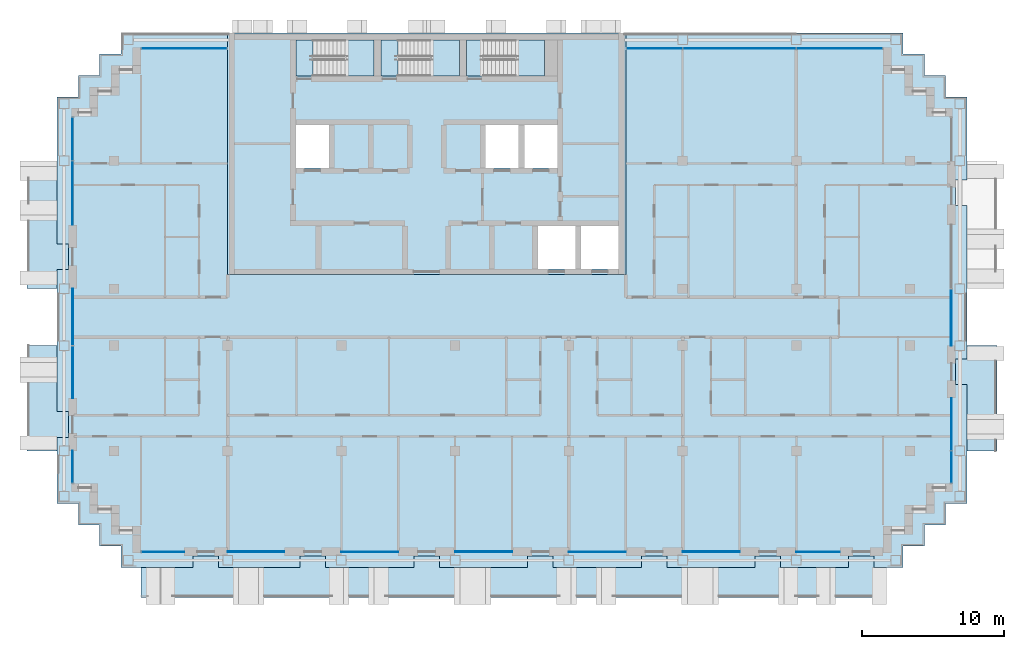
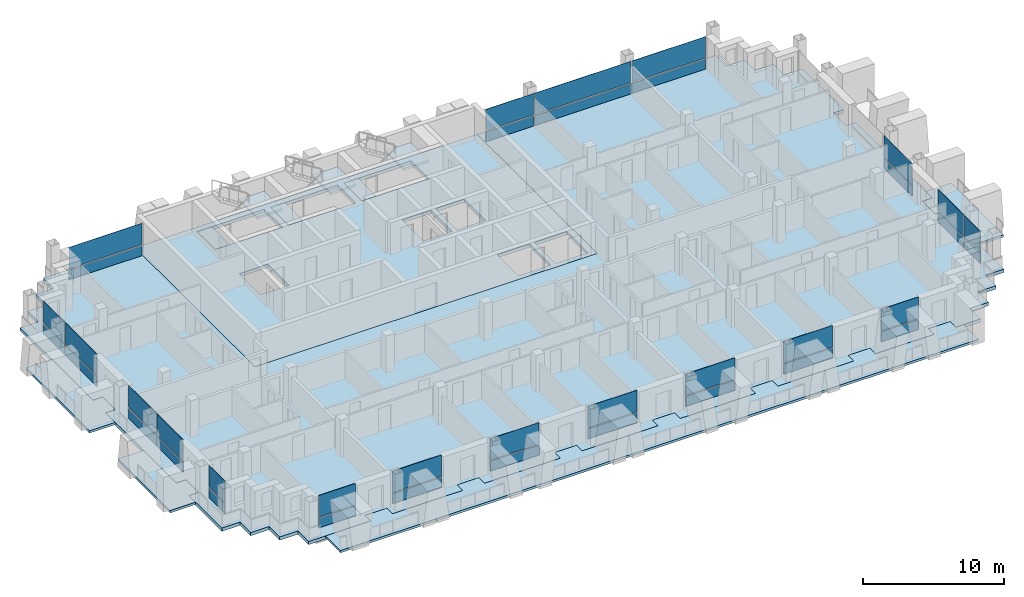
# One storey, part 6 of 16: 38 plates, 12 slabs, 17 elements without a shape of their own.
"""IFC4 building model written with IfcOpenShell, lengths in metres."""

from ifc_helpers import new_model, si_unit, direction, frame, origin, origin_2d, place, context, subcontext, project, spatial, polyline, rectangle, outline, extrude, material, layer, layer_set, type_object, element, aggregate, save


model = new_model("IFC4")

# Units and contexts
model_context = context("Model", 3, precision=1e-05, world=origin(), true_north=direction((0.0, 1.0)))
body_context = subcontext(model_context, "Body", "Model", "MODEL_VIEW")
ifc_project = project(units=[si_unit("LENGTHUNIT", "METRE"), si_unit("AREAUNIT", "SQUARE_METRE"), si_unit("VOLUMEUNIT", "CUBIC_METRE"), si_unit("PLANEANGLEUNIT", "RADIAN"), si_unit("MASSUNIT", "GRAM", prefix="KILO")], contexts=[model_context])

# Site, building, storey
site_placement = place(None, origin())
site = spatial("IfcSite", under=ifc_project, at=site_placement, CompositionType="ELEMENT")
building_placement = place(site_placement, origin())
building = spatial("IfcBuilding", under=site, at=building_placement, Name="Vidyagriha Tower", CompositionType="ELEMENT")
storey_placement = place(building_placement, frame((0.0, 0.0, 190.89990234375)))
storey = spatial("IfcBuildingStorey", under=building, at=storey_placement, Name="L50", CompositionType="ELEMENT", Elevation=190.89990234375)

# Curtain wall, plates
ifc_material_1 = material(Name="Aluminium and glass curtain wall", Category="aluminium")
curtain_wall_type = type_object("IfcCurtainWallType", Name="Dwelling skin unitised curtain wall", PredefinedType="USERDEFINED", material=ifc_material_1)
curtain_wall_1_placement = place(storey_placement, origin())
curtain_wall_1 = element("IfcCurtainWall", 1, at=curtain_wall_1_placement, inside=storey, type_object=curtain_wall_type, Name="CW1 dwelling skin", ObjectType="UNITISED", PredefinedType="USERDEFINED")
ifc_material_2 = material(Name="Glass dark ceramic-fritted spandrel", Category="glass")
ifc_layer_1 = layer(ifc_material_2, 0.0400390625)
ifc_layer_set_1 = layer_set([ifc_layer_1], Name="Glass dark ceramic-fritted spandrel")
plate_type_1 = type_object("IfcPlateType", Name="Ceramic-fritted spandrel panel", PredefinedType="CURTAIN_PANEL", material=ifc_layer_set_1)
plate_1_placement = place(storey_placement, frame((29.032470703125, 18.89990234375, 0.0), z_axis=(0.0, 0.0, 1.0), x_axis=(-1.0, 0.0, 0.0)))
plate_1 = element("IfcPlate", 2, at=plate_1_placement, type_object=plate_type_1, Name="CW1 panel 1.1", PredefinedType="CURTAIN_PANEL", context=body_context, shape_type="SweptSolid", body=[
    extrude(rectangle(XDim=5.9951171875, YDim=0.0400390625, at=origin_2d()), origin(), (0.0, 0.0, 1.0), 0.85009765625),
])
plate_2_placement = place(storey_placement, frame((16.017578125, 18.89990234375, 0.0), z_axis=(0.0, 0.0, 1.0), x_axis=(-1.0, 0.0, 0.0)))
plate_2 = element("IfcPlate", 3, at=plate_2_placement, type_object=plate_type_1, Name="CW1 panel 3.1", PredefinedType="CURTAIN_PANEL", context=body_context, shape_type="SweptSolid", body=[
    extrude(rectangle(XDim=3.89501953125, YDim=0.0400390625, at=origin_2d()), origin(), (0.0, 0.0, 1.0), 0.85009765625),
])

# Curtain wall, plate
curtain_wall_2_placement = place(storey_placement, origin())
curtain_wall_2 = element("IfcCurtainWall", 4, at=curtain_wall_2_placement, inside=storey, type_object=curtain_wall_type, Name="CW1 dwelling skin", ObjectType="UNITISED", PredefinedType="USERDEFINED")
plate_3_placement = place(storey_placement, frame((-17.050048828125, 18.89990234375, 0.0), z_axis=(0.0, 0.0, 1.0), x_axis=(-1.0, 0.0, 0.0)))
plate_3 = element("IfcPlate", 5, at=plate_3_placement, type_object=plate_type_1, Name="CW1 panel 1.1", PredefinedType="CURTAIN_PANEL", context=body_context, shape_type="SweptSolid", body=[
    extrude(rectangle(XDim=5.9599609375, YDim=0.0400390625, at=origin_2d()), origin(), (0.0, 0.0, 1.0), 0.85009765625),
])

# Curtain wall, plates
curtain_wall_3_placement = place(storey_placement, origin())
curtain_wall_3 = element("IfcCurtainWall", 6, at=curtain_wall_3_placement, inside=storey, type_object=curtain_wall_type, Name="CW1 dwelling skin", ObjectType="UNITISED", PredefinedType="USERDEFINED")
plate_4_placement = place(storey_placement, frame((-24.89990234375, 12.532470703125, 0.0), z_axis=(0.0, 0.0, 1.0), x_axis=(0.0, -1.0, 0.0)))
plate_4 = element("IfcPlate", 7, at=plate_4_placement, type_object=plate_type_1, Name="CW1 panel 1.1", PredefinedType="CURTAIN_PANEL", context=body_context, shape_type="SweptSolid", body=[
    extrude(rectangle(XDim=2.9951171875, YDim=0.0400390625, at=origin_2d()), origin(), (0.0, 0.0, 1.0), 0.85009765625),
])
plate_5_placement = place(storey_placement, frame((-24.89990234375, 8.732421875, 0.0), z_axis=(0.0, 0.0, 1.0), x_axis=(0.0, -1.0, 0.0)))
plate_5 = element("IfcPlate", 8, at=plate_5_placement, type_object=plate_type_1, Name="CW1 panel 2.1", PredefinedType="CURTAIN_PANEL", context=body_context, shape_type="SweptSolid", body=[
    extrude(rectangle(XDim=4.465087890625, YDim=0.0400390625, at=origin_2d()), origin(), (0.0, 0.0, 1.0), 0.85009765625),
])

# Curtain wall, plate
curtain_wall_4_placement = place(storey_placement, origin())
curtain_wall_4 = element("IfcCurtainWall", 9, at=curtain_wall_4_placement, inside=storey, type_object=curtain_wall_type, Name="CW1 dwelling skin", ObjectType="UNITISED", PredefinedType="USERDEFINED")
plate_6_placement = place(storey_placement, frame((-24.89990234375, -10.514892578125, 0.0), z_axis=(0.0, 0.0, 1.0), x_axis=(0.0, -1.0, 0.0)))
plate_6 = element("IfcPlate", 10, at=plate_6_placement, type_object=plate_type_1, Name="CW1 panel 1.1", PredefinedType="CURTAIN_PANEL", context=body_context, shape_type="SweptSolid", body=[
    extrude(rectangle(XDim=2.22998046875, YDim=0.0400390625, at=origin_2d()), origin(), (0.0, 0.0, 1.0), 0.85009765625),
])

curtain_wall_5_placement = place(storey_placement, origin())
curtain_wall_5 = element("IfcCurtainWall", 11, at=curtain_wall_5_placement, inside=storey, type_object=curtain_wall_type, Name="CW1 dwelling skin", ObjectType="UNITISED", PredefinedType="USERDEFINED")
plate_7_placement = place(storey_placement, frame((-18.5400390625, -16.5, 0.0)))
plate_7 = element("IfcPlate", 12, at=plate_7_placement, type_object=plate_type_1, Name="CW1 panel 1.1", PredefinedType="CURTAIN_PANEL", context=body_context, shape_type="SweptSolid", body=[
    extrude(rectangle(XDim=2.97998046875, YDim=0.0400390625, at=origin_2d()), origin(), (0.0, 0.0, 1.0), 0.85009765625),
])

curtain_wall_6_placement = place(storey_placement, origin())
curtain_wall_6 = element("IfcCurtainWall", 13, at=curtain_wall_6_placement, inside=storey, type_object=curtain_wall_type, Name="CW1 dwelling skin", ObjectType="UNITISED", PredefinedType="USERDEFINED")
plate_8_placement = place(storey_placement, frame((-4.0, -16.5, 0.0)))
plate_8 = element("IfcPlate", 14, at=plate_8_placement, type_object=plate_type_1, Name="CW1 panel 1.1", PredefinedType="CURTAIN_PANEL", context=body_context, shape_type="SweptSolid", body=[
    extrude(rectangle(XDim=4.0, YDim=0.0400390625, at=origin_2d()), origin(), (0.0, 0.0, 1.0), 0.85009765625),
])

curtain_wall_7_placement = place(storey_placement, origin())
curtain_wall_7 = element("IfcCurtainWall", 15, at=curtain_wall_7_placement, inside=storey, type_object=curtain_wall_type, Name="CW1 dwelling skin", ObjectType="UNITISED", PredefinedType="USERDEFINED")
plate_9_placement = place(storey_placement, frame((12.0, -16.5, 0.0)))
plate_9 = element("IfcPlate", 16, at=plate_9_placement, type_object=plate_type_1, Name="CW1 panel 1.1", PredefinedType="CURTAIN_PANEL", context=body_context, shape_type="SweptSolid", body=[
    extrude(rectangle(XDim=4.0, YDim=0.0400390625, at=origin_2d()), origin(), (0.0, 0.0, 1.0), 0.85009765625),
])

curtain_wall_8_placement = place(storey_placement, origin())
curtain_wall_8 = element("IfcCurtainWall", 17, at=curtain_wall_8_placement, inside=storey, type_object=curtain_wall_type, Name="CW1 dwelling skin", ObjectType="UNITISED", PredefinedType="USERDEFINED")
plate_10_placement = place(storey_placement, frame((27.52490234375, -16.5, 0.0)))
plate_10 = element("IfcPlate", 18, at=plate_10_placement, type_object=plate_type_1, Name="CW1 panel 1.1", PredefinedType="CURTAIN_PANEL", context=body_context, shape_type="SweptSolid", body=[
    extrude(rectangle(XDim=3.050048828125, YDim=0.0400390625, at=origin_2d()), origin(), (0.0, 0.0, 1.0), 0.85009765625),
])

# Curtain wall, plates
curtain_wall_9_placement = place(storey_placement, origin())
curtain_wall_9 = element("IfcCurtainWall", 19, at=curtain_wall_9_placement, inside=storey, type_object=curtain_wall_type, Name="CW1 dwelling skin", ObjectType="UNITISED", PredefinedType="USERDEFINED")
plate_11_placement = place(storey_placement, frame((36.89990234375, -10.532470703125, 0.0), z_axis=(0.0, 0.0, 1.0), x_axis=(0.0, 1.0, 0.0)))
plate_11 = element("IfcPlate", 20, at=plate_11_placement, type_object=plate_type_1, Name="CW1 panel 1.1", PredefinedType="CURTAIN_PANEL", context=body_context, shape_type="SweptSolid", body=[
    extrude(rectangle(XDim=2.195068359375, YDim=0.0400390625, at=origin_2d()), origin(), (0.0, 0.0, 1.0), 0.85009765625),
])
plate_12_placement = place(storey_placement, frame((36.89990234375, -7.532470703125, 0.0), z_axis=(0.0, 0.0, 1.0), x_axis=(0.0, 1.0, 0.0)))
plate_12 = element("IfcPlate", 21, at=plate_12_placement, type_object=plate_type_1, Name="CW1 panel 2.1", PredefinedType="CURTAIN_PANEL", context=body_context, shape_type="SweptSolid", body=[
    extrude(rectangle(XDim=3.6650390625, YDim=0.0400390625, at=origin_2d()), origin(), (0.0, 0.0, 1.0), 0.85009765625),
])

# Slab
ifc_material_3 = material(Name="Concrete C60/75", Category="concrete")
ifc_layer_2 = layer(ifc_material_3, 0.280029296875)
ifc_layer_set_2 = layer_set([ifc_layer_2], Name="Concrete C60/75")
slab_type_1 = type_object("IfcSlabType", Name="Core floor slab 280 mm", PredefinedType="FLOOR", material=ifc_layer_set_2)
slab_1_placement = place(storey_placement, frame((0.0, 0.0, -0.27978515625)))
element("IfcSlab", 22, at=slab_1_placement, inside=storey, type_object=slab_type_1, Name="L50 core floor 1", PredefinedType="FLOOR", context=body_context, shape_type="SweptSolid", body=[
    extrude(outline(polyline([(-14.0, 3.0), (-14.0, 20.0), (14.0, 20.0), (14.0, 3.0), (-14.0, 3.0)]), holes=[polyline([(13.5, 6.39990234375), (10.855712890625, 6.39990234375), (10.855712890625, 3.39990234375), (13.5, 3.39990234375), (13.5, 6.39990234375)]), polyline([(10.45556640625, 6.39990234375), (7.81103515625, 6.39990234375), (7.81103515625, 3.39990234375), (10.45556640625, 3.39990234375), (10.45556640625, 6.39990234375)]), polyline([(9.199951171875, 13.5), (6.86669921875, 13.5), (6.86669921875, 10.5), (9.199951171875, 10.5), (9.199951171875, 13.5)]), polyline([(2.800048828125, 19.5), (2.800048828125, 16.949951171875), (4.0, 16.949951171875), (8.300048828125, 16.949951171875), (8.300048828125, 19.5), (4.0, 19.5), (2.800048828125, 19.5)]), polyline([(4.13330078125, 13.5), (4.13330078125, 10.5), (6.466796875, 10.5), (6.466796875, 13.5), (4.13330078125, 13.5)]), polyline([(-2.0, 19.5), (-3.199951171875, 19.5), (-3.199951171875, 16.949951171875), (-2.0, 16.949951171875), (2.300048828125, 16.949951171875), (2.300048828125, 19.5), (-2.0, 19.5)]), polyline([(-9.199951171875, 19.5), (-9.199951171875, 16.949951171875), (-8.0, 16.949951171875), (-3.699951171875, 16.949951171875), (-3.699951171875, 19.5), (-8.0, 19.5), (-9.199951171875, 19.5)]), polyline([(-9.199951171875, 13.5), (-9.199951171875, 10.5), (-6.86669921875, 10.5), (-6.86669921875, 13.5), (-9.199951171875, 13.5)])]), origin(), (0.0, 0.0, 1.0), 0.27978515625),
])

# Plate
ifc_material_4 = material(Name="Glass dark ceramic-fritted", Category="glass")
ifc_layer_3 = layer(ifc_material_4, 0.028076171875)
ifc_layer_set_3 = layer_set([ifc_layer_3], Name="Glass dark ceramic-fritted")
plate_type_2 = type_object("IfcPlateType", Name="Dark ceramic-fritted vision glass panel", PredefinedType="CURTAIN_PANEL", material=ifc_layer_set_3)
plate_13_placement = place(storey_placement, frame((29.032470703125, 18.89990234375, 0.949951171875), z_axis=(0.0, 0.0, 1.0), x_axis=(-1.0, 0.0, 0.0)))
plate_13 = element("IfcPlate", 23, at=plate_13_placement, type_object=plate_type_2, Name="CW1 panel 1.2", PredefinedType="CURTAIN_PANEL", context=body_context, shape_type="SweptSolid", body=[
    extrude(rectangle(XDim=5.9951171875, YDim=0.028076171875, at=origin_2d()), origin(), (0.0, 0.0, 1.0), 1.85009765625),
])

plate_14_placement = place(storey_placement, frame((22.0, 18.89990234375, 0.949951171875), z_axis=(0.0, 0.0, 1.0), x_axis=(-1.0, 0.0, 0.0)))
plate_14 = element("IfcPlate", 24, at=plate_14_placement, type_object=plate_type_2, Name="CW1 panel 2.2", PredefinedType="CURTAIN_PANEL", context=body_context, shape_type="SweptSolid", body=[
    extrude(rectangle(XDim=7.929931640625, YDim=0.028076171875, at=origin_2d()), origin(), (0.0, 0.0, 1.0), 1.85009765625),
])

plate_15_placement = place(storey_placement, frame((16.017578125, 18.89990234375, 0.949951171875), z_axis=(0.0, 0.0, 1.0), x_axis=(-1.0, 0.0, 0.0)))
plate_15 = element("IfcPlate", 25, at=plate_15_placement, type_object=plate_type_2, Name="CW1 panel 3.2", PredefinedType="CURTAIN_PANEL", context=body_context, shape_type="SweptSolid", body=[
    extrude(rectangle(XDim=3.89501953125, YDim=0.028076171875, at=origin_2d()), origin(), (0.0, 0.0, 1.0), 1.85009765625),
])

plate_16_placement = place(storey_placement, frame((-17.050048828125, 18.89990234375, 0.949951171875), z_axis=(0.0, 0.0, 1.0), x_axis=(-1.0, 0.0, 0.0)))
plate_16 = element("IfcPlate", 26, at=plate_16_placement, type_object=plate_type_2, Name="CW1 panel 1.2", PredefinedType="CURTAIN_PANEL", context=body_context, shape_type="SweptSolid", body=[
    extrude(rectangle(XDim=5.9599609375, YDim=0.028076171875, at=origin_2d()), origin(), (0.0, 0.0, 1.0), 1.85009765625),
])

aggregate(curtain_wall_2, [plate_3, plate_16])

plate_17_placement = place(storey_placement, frame((-24.89990234375, 12.532470703125, 0.949951171875), z_axis=(0.0, 0.0, 1.0), x_axis=(0.0, -1.0, 0.0)))
plate_17 = element("IfcPlate", 27, at=plate_17_placement, type_object=plate_type_2, Name="CW1 panel 1.2", PredefinedType="CURTAIN_PANEL", context=body_context, shape_type="SweptSolid", body=[
    extrude(rectangle(XDim=2.9951171875, YDim=0.028076171875, at=origin_2d()), origin(), (0.0, 0.0, 1.0), 1.85009765625),
])

plate_18_placement = place(storey_placement, frame((-24.89990234375, 8.732421875, 0.949951171875), z_axis=(0.0, 0.0, 1.0), x_axis=(0.0, -1.0, 0.0)))
plate_18 = element("IfcPlate", 28, at=plate_18_placement, type_object=plate_type_2, Name="CW1 panel 2.2", PredefinedType="CURTAIN_PANEL", context=body_context, shape_type="SweptSolid", body=[
    extrude(rectangle(XDim=4.465087890625, YDim=0.028076171875, at=origin_2d()), origin(), (0.0, 0.0, 1.0), 1.85009765625),
])

aggregate(curtain_wall_3, [plate_4, plate_17, plate_5, plate_18])

# Curtain wall, plates
curtain_wall_10_placement = place(storey_placement, origin())
curtain_wall_10 = element("IfcCurtainWall", 29, at=curtain_wall_10_placement, inside=storey, type_object=curtain_wall_type, Name="CW1 dwelling skin", ObjectType="UNITISED", PredefinedType="USERDEFINED")
plate_19_placement = place(storey_placement, frame((-24.89990234375, 0.017578125, 0.949951171875), z_axis=(0.0, 0.0, 1.0), x_axis=(0.0, -1.0, 0.0)))
plate_19 = element("IfcPlate", 30, at=plate_19_placement, type_object=plate_type_2, Name="CW1 panel 1.2", PredefinedType="CURTAIN_PANEL", context=body_context, shape_type="SweptSolid", body=[
    extrude(rectangle(XDim=3.965087890625, YDim=0.028076171875, at=origin_2d()), origin(), (0.0, 0.0, 1.0), 1.85009765625),
])
plate_20_placement = place(storey_placement, frame((-24.89990234375, -3.867431640625, 0.949951171875), z_axis=(0.0, 0.0, 1.0), x_axis=(0.0, -1.0, 0.0)))
plate_20 = element("IfcPlate", 31, at=plate_20_placement, type_object=plate_type_2, Name="CW1 panel 2.2", PredefinedType="CURTAIN_PANEL", context=body_context, shape_type="SweptSolid", body=[
    extrude(rectangle(XDim=3.6650390625, YDim=0.028076171875, at=origin_2d()), origin(), (0.0, 0.0, 1.0), 1.85009765625),
])

# Plate
plate_21_placement = place(storey_placement, frame((-24.89990234375, -10.514892578125, 0.949951171875), z_axis=(0.0, 0.0, 1.0), x_axis=(0.0, -1.0, 0.0)))
plate_21 = element("IfcPlate", 32, at=plate_21_placement, type_object=plate_type_2, Name="CW1 panel 1.2", PredefinedType="CURTAIN_PANEL", context=body_context, shape_type="SweptSolid", body=[
    extrude(rectangle(XDim=2.22998046875, YDim=0.028076171875, at=origin_2d()), origin(), (0.0, 0.0, 1.0), 1.85009765625),
])

aggregate(curtain_wall_4, [plate_6, plate_21])

plate_22_placement = place(storey_placement, frame((-18.5400390625, -16.5, 0.949951171875)))
plate_22 = element("IfcPlate", 33, at=plate_22_placement, type_object=plate_type_2, Name="CW1 panel 1.2", PredefinedType="CURTAIN_PANEL", context=body_context, shape_type="SweptSolid", body=[
    extrude(rectangle(XDim=2.97998046875, YDim=0.028076171875, at=origin_2d()), origin(), (0.0, 0.0, 1.0), 1.85009765625),
])

aggregate(curtain_wall_5, [plate_7, plate_22])

# Curtain wall, plate
curtain_wall_11_placement = place(storey_placement, origin())
curtain_wall_11 = element("IfcCurtainWall", 34, at=curtain_wall_11_placement, inside=storey, type_object=curtain_wall_type, Name="CW1 dwelling skin", ObjectType="UNITISED", PredefinedType="USERDEFINED")
plate_23_placement = place(storey_placement, frame((-12.0, -16.5, 0.949951171875)))
plate_23 = element("IfcPlate", 35, at=plate_23_placement, type_object=plate_type_2, Name="CW1 panel 1.2", PredefinedType="CURTAIN_PANEL", context=body_context, shape_type="SweptSolid", body=[
    extrude(rectangle(XDim=4.0, YDim=0.028076171875, at=origin_2d()), origin(), (0.0, 0.0, 1.0), 1.85009765625),
])

# Plate
plate_24_placement = place(storey_placement, frame((-4.0, -16.5, 0.949951171875)))
plate_24 = element("IfcPlate", 36, at=plate_24_placement, type_object=plate_type_2, Name="CW1 panel 1.2", PredefinedType="CURTAIN_PANEL", context=body_context, shape_type="SweptSolid", body=[
    extrude(rectangle(XDim=4.0, YDim=0.028076171875, at=origin_2d()), origin(), (0.0, 0.0, 1.0), 1.85009765625),
])

aggregate(curtain_wall_6, [plate_8, plate_24])

# Curtain wall, plate
curtain_wall_12_placement = place(storey_placement, origin())
curtain_wall_12 = element("IfcCurtainWall", 37, at=curtain_wall_12_placement, inside=storey, type_object=curtain_wall_type, Name="CW1 dwelling skin", ObjectType="UNITISED", PredefinedType="USERDEFINED")
plate_25_placement = place(storey_placement, frame((4.0, -16.5, 0.949951171875)))
plate_25 = element("IfcPlate", 38, at=plate_25_placement, type_object=plate_type_2, Name="CW1 panel 1.2", PredefinedType="CURTAIN_PANEL", context=body_context, shape_type="SweptSolid", body=[
    extrude(rectangle(XDim=4.0, YDim=0.028076171875, at=origin_2d()), origin(), (0.0, 0.0, 1.0), 1.85009765625),
])

# Plate
plate_26_placement = place(storey_placement, frame((12.0, -16.5, 0.949951171875)))
plate_26 = element("IfcPlate", 39, at=plate_26_placement, type_object=plate_type_2, Name="CW1 panel 1.2", PredefinedType="CURTAIN_PANEL", context=body_context, shape_type="SweptSolid", body=[
    extrude(rectangle(XDim=4.0, YDim=0.028076171875, at=origin_2d()), origin(), (0.0, 0.0, 1.0), 1.85009765625),
])

aggregate(curtain_wall_7, [plate_9, plate_26])

# Curtain wall, plate
curtain_wall_13_placement = place(storey_placement, origin())
curtain_wall_13 = element("IfcCurtainWall", 40, at=curtain_wall_13_placement, inside=storey, type_object=curtain_wall_type, Name="CW1 dwelling skin", ObjectType="UNITISED", PredefinedType="USERDEFINED")
plate_27_placement = place(storey_placement, frame((20.0, -16.5, 0.949951171875)))
plate_27 = element("IfcPlate", 41, at=plate_27_placement, type_object=plate_type_2, Name="CW1 panel 1.2", PredefinedType="CURTAIN_PANEL", context=body_context, shape_type="SweptSolid", body=[
    extrude(rectangle(XDim=4.0, YDim=0.028076171875, at=origin_2d()), origin(), (0.0, 0.0, 1.0), 1.85009765625),
])

# Plate
plate_28_placement = place(storey_placement, frame((27.52490234375, -16.5, 0.949951171875)))
plate_28 = element("IfcPlate", 42, at=plate_28_placement, type_object=plate_type_2, Name="CW1 panel 1.2", PredefinedType="CURTAIN_PANEL", context=body_context, shape_type="SweptSolid", body=[
    extrude(rectangle(XDim=3.050048828125, YDim=0.028076171875, at=origin_2d()), origin(), (0.0, 0.0, 1.0), 1.85009765625),
])

aggregate(curtain_wall_8, [plate_10, plate_28])

plate_29_placement = place(storey_placement, frame((36.89990234375, -10.532470703125, 0.949951171875), z_axis=(0.0, 0.0, 1.0), x_axis=(0.0, 1.0, 0.0)))
plate_29 = element("IfcPlate", 43, at=plate_29_placement, type_object=plate_type_2, Name="CW1 panel 1.2", PredefinedType="CURTAIN_PANEL", context=body_context, shape_type="SweptSolid", body=[
    extrude(rectangle(XDim=2.195068359375, YDim=0.028076171875, at=origin_2d()), origin(), (0.0, 0.0, 1.0), 1.85009765625),
])

plate_30_placement = place(storey_placement, frame((36.89990234375, -7.532470703125, 0.949951171875), z_axis=(0.0, 0.0, 1.0), x_axis=(0.0, 1.0, 0.0)))
plate_30 = element("IfcPlate", 44, at=plate_30_placement, type_object=plate_type_2, Name="CW1 panel 2.2", PredefinedType="CURTAIN_PANEL", context=body_context, shape_type="SweptSolid", body=[
    extrude(rectangle(XDim=3.6650390625, YDim=0.028076171875, at=origin_2d()), origin(), (0.0, 0.0, 1.0), 1.85009765625),
])

aggregate(curtain_wall_9, [plate_11, plate_29, plate_12, plate_30])

# Curtain wall, plate
curtain_wall_14_placement = place(storey_placement, origin())
curtain_wall_14 = element("IfcCurtainWall", 45, at=curtain_wall_14_placement, inside=storey, type_object=curtain_wall_type, Name="CW1 dwelling skin", ObjectType="UNITISED", PredefinedType="USERDEFINED")
plate_31_placement = place(storey_placement, frame((36.89990234375, -0.017578125, 0.949951171875), z_axis=(0.0, 0.0, 1.0), x_axis=(0.0, 1.0, 0.0)))
plate_31 = element("IfcPlate", 46, at=plate_31_placement, type_object=plate_type_2, Name="CW1 panel 1.2", PredefinedType="CURTAIN_PANEL", context=body_context, shape_type="SweptSolid", body=[
    extrude(rectangle(XDim=3.965087890625, YDim=0.028076171875, at=origin_2d()), origin(), (0.0, 0.0, 1.0), 1.85009765625),
])

# Slabs
ifc_material_5 = material(Name="Concrete C40/50", Category="concrete")
ifc_layer_4 = layer(ifc_material_5, 0.280029296875)
ifc_layer_set_4 = layer_set([ifc_layer_4], Name="Concrete C40/50")
slab_type_2 = type_object("IfcSlabType", Name="Exit stair floor landing 280 mm", PredefinedType="LANDING", material=ifc_layer_set_4)
slab_2_placement = place(storey_placement, frame((0.0, 0.0, -0.27978515625)))
element("IfcSlab", 47, at=slab_2_placement, inside=storey, type_object=slab_type_2, Name="ST1 floor landing L50", PredefinedType="LANDING", context=body_context, shape_type="SweptSolid", body=[
    extrude(outline(polyline([(-9.199951171875, 16.949951171875), (-8.0, 16.949951171875), (-8.0, 19.5), (-9.199951171875, 19.5), (-9.199951171875, 16.949951171875)])), origin(), (0.0, 0.0, 1.0), 0.27978515625),
])
slab_3_placement = place(storey_placement, frame((0.0, 0.0, -0.27978515625)))
element("IfcSlab", 48, at=slab_3_placement, inside=storey, type_object=slab_type_2, Name="ST2 floor landing L50", PredefinedType="LANDING", context=body_context, shape_type="SweptSolid", body=[
    extrude(outline(polyline([(-3.199951171875, 16.949951171875), (-2.0, 16.949951171875), (-2.0, 19.5), (-3.199951171875, 19.5), (-3.199951171875, 16.949951171875)])), origin(), (0.0, 0.0, 1.0), 0.27978515625),
])
slab_4_placement = place(storey_placement, frame((0.0, 0.0, -0.27978515625)))
element("IfcSlab", 49, at=slab_4_placement, inside=storey, type_object=slab_type_2, Name="ST3 floor landing L50", PredefinedType="LANDING", context=body_context, shape_type="SweptSolid", body=[
    extrude(outline(polyline([(2.800048828125, 16.949951171875), (4.0, 16.949951171875), (4.0, 19.5), (2.800048828125, 19.5), (2.800048828125, 16.949951171875)])), origin(), (0.0, 0.0, 1.0), 0.27978515625),
])

# Stair, slab
ifc_material_6 = material(Name="Concrete C40/50", Category="concrete")
stair_type = type_object("IfcStairType", Name="Exit stair, half-turn, precast flights", PredefinedType="HALF_TURN_STAIR", material=ifc_material_6)
stair_1_placement = place(storey_placement, origin())
stair_1 = element("IfcStair", 50, at=stair_1_placement, inside=storey, type_object=stair_type, Name="L50 Exit Stair ST1", PredefinedType="HALF_TURN_STAIR")
ifc_material_7 = material(Name="Concrete C40/50", Category="concrete")
ifc_layer_5 = layer(ifc_material_7, 0.199951171875)
ifc_layer_set_5 = layer_set([ifc_layer_5], Name="Concrete C40/50")
slab_type_3 = type_object("IfcSlabType", Name="Exit stair landing 200 mm", PredefinedType="LANDING", material=ifc_layer_set_5)
slab_5_placement = place(storey_placement, frame((0.0, 0.0, 1.400146484375)))
slab_5 = element("IfcSlab", 51, at=slab_5_placement, type_object=slab_type_3, Name="ST1 landing 1", PredefinedType="LANDING", context=body_context, shape_type="SweptSolid", body=[
    extrude(outline(polyline([(-5.760009765625, 16.949951171875), (-3.699951171875, 16.949951171875), (-3.699951171875, 19.5), (-5.760009765625, 19.5), (-5.760009765625, 16.949951171875)])), origin(), (0.0, 0.0, 1.0), 0.199951171875),
])
aggregate(stair_1, [slab_5])

stair_2_placement = place(storey_placement, origin())
stair_2 = element("IfcStair", 52, at=stair_2_placement, inside=storey, type_object=stair_type, Name="L50 Exit Stair ST2", PredefinedType="HALF_TURN_STAIR")
slab_6_placement = place(storey_placement, frame((0.0, 0.0, 1.400146484375)))
slab_6 = element("IfcSlab", 53, at=slab_6_placement, type_object=slab_type_3, Name="ST2 landing 1", PredefinedType="LANDING", context=body_context, shape_type="SweptSolid", body=[
    extrude(outline(polyline([(0.239990234375, 16.949951171875), (2.300048828125, 16.949951171875), (2.300048828125, 19.5), (0.239990234375, 19.5), (0.239990234375, 16.949951171875)])), origin(), (0.0, 0.0, 1.0), 0.199951171875),
])
aggregate(stair_2, [slab_6])

stair_3_placement = place(storey_placement, origin())
stair_3 = element("IfcStair", 54, at=stair_3_placement, inside=storey, type_object=stair_type, Name="L50 Exit Stair ST3", PredefinedType="HALF_TURN_STAIR")
slab_7_placement = place(storey_placement, frame((0.0, 0.0, 1.400146484375)))
slab_7 = element("IfcSlab", 55, at=slab_7_placement, type_object=slab_type_3, Name="ST3 landing 1", PredefinedType="LANDING", context=body_context, shape_type="SweptSolid", body=[
    extrude(outline(polyline([(6.239990234375, 16.949951171875), (8.300048828125, 16.949951171875), (8.300048828125, 19.5), (6.239990234375, 19.5), (6.239990234375, 16.949951171875)])), origin(), (0.0, 0.0, 1.0), 0.199951171875),
])
aggregate(stair_3, [slab_7])

# Plate
ifc_material_8 = material(Name="Aluminium black anodised", Category="aluminium")
ifc_layer_6 = layer(ifc_material_8, 0.06005859375)
ifc_layer_set_6 = layer_set([ifc_layer_6], Name="Aluminium black anodised")
plate_type_3 = type_object("IfcPlateType", Name="Operable black-metal vent panel", PredefinedType="CURTAIN_PANEL", material=ifc_layer_set_6)
plate_32_placement = place(storey_placement, frame((22.0, 18.89990234375, 0.0), z_axis=(0.0, 0.0, 1.0), x_axis=(-1.0, 0.0, 0.0)))
plate_32 = element("IfcPlate", 56, at=plate_32_placement, type_object=plate_type_3, Name="CW1 panel 2.1", PredefinedType="CURTAIN_PANEL", context=body_context, shape_type="SweptSolid", body=[
    extrude(rectangle(XDim=7.929931640625, YDim=0.06005859375, at=origin_2d()), origin(), (0.0, 0.0, 1.0), 0.85009765625),
])

aggregate(curtain_wall_1, [plate_1, plate_13, plate_32, plate_14, plate_2, plate_15])

plate_33_placement = place(storey_placement, frame((-24.89990234375, 0.017578125, 0.0), z_axis=(0.0, 0.0, 1.0), x_axis=(0.0, -1.0, 0.0)))
plate_33 = element("IfcPlate", 57, at=plate_33_placement, type_object=plate_type_3, Name="CW1 panel 1.1", PredefinedType="CURTAIN_PANEL", context=body_context, shape_type="SweptSolid", body=[
    extrude(rectangle(XDim=3.965087890625, YDim=0.06005859375, at=origin_2d()), origin(), (0.0, 0.0, 1.0), 0.85009765625),
])

plate_34_placement = place(storey_placement, frame((-24.89990234375, -3.867431640625, 0.0), z_axis=(0.0, 0.0, 1.0), x_axis=(0.0, -1.0, 0.0)))
plate_34 = element("IfcPlate", 58, at=plate_34_placement, type_object=plate_type_3, Name="CW1 panel 2.1", PredefinedType="CURTAIN_PANEL", context=body_context, shape_type="SweptSolid", body=[
    extrude(rectangle(XDim=3.6650390625, YDim=0.06005859375, at=origin_2d()), origin(), (0.0, 0.0, 1.0), 0.85009765625),
])

aggregate(curtain_wall_10, [plate_33, plate_19, plate_34, plate_20])

plate_35_placement = place(storey_placement, frame((-12.0, -16.5, 0.0)))
plate_35 = element("IfcPlate", 59, at=plate_35_placement, type_object=plate_type_3, Name="CW1 panel 1.1", PredefinedType="CURTAIN_PANEL", context=body_context, shape_type="SweptSolid", body=[
    extrude(rectangle(XDim=4.0, YDim=0.06005859375, at=origin_2d()), origin(), (0.0, 0.0, 1.0), 0.85009765625),
])

aggregate(curtain_wall_11, [plate_35, plate_23])

plate_36_placement = place(storey_placement, frame((4.0, -16.5, 0.0)))
plate_36 = element("IfcPlate", 60, at=plate_36_placement, type_object=plate_type_3, Name="CW1 panel 1.1", PredefinedType="CURTAIN_PANEL", context=body_context, shape_type="SweptSolid", body=[
    extrude(rectangle(XDim=4.0, YDim=0.06005859375, at=origin_2d()), origin(), (0.0, 0.0, 1.0), 0.85009765625),
])

aggregate(curtain_wall_12, [plate_36, plate_25])

plate_37_placement = place(storey_placement, frame((20.0, -16.5, 0.0)))
plate_37 = element("IfcPlate", 61, at=plate_37_placement, type_object=plate_type_3, Name="CW1 panel 1.1", PredefinedType="CURTAIN_PANEL", context=body_context, shape_type="SweptSolid", body=[
    extrude(rectangle(XDim=4.0, YDim=0.06005859375, at=origin_2d()), origin(), (0.0, 0.0, 1.0), 0.85009765625),
])

aggregate(curtain_wall_13, [plate_37, plate_27])

plate_38_placement = place(storey_placement, frame((36.89990234375, -0.017578125, 0.0), z_axis=(0.0, 0.0, 1.0), x_axis=(0.0, 1.0, 0.0)))
plate_38 = element("IfcPlate", 62, at=plate_38_placement, type_object=plate_type_3, Name="CW1 panel 1.1", PredefinedType="CURTAIN_PANEL", context=body_context, shape_type="SweptSolid", body=[
    extrude(rectangle(XDim=3.965087890625, YDim=0.06005859375, at=origin_2d()), origin(), (0.0, 0.0, 1.0), 0.85009765625),
])

aggregate(curtain_wall_14, [plate_38, plate_31])

# Slabs
ifc_material_9 = material(Name="Concrete C50/60", Category="concrete")
ifc_layer_7 = layer(ifc_material_9, 0.280029296875)
ifc_layer_set_7 = layer_set([ifc_layer_7], Name="Concrete C50/60")
slab_type_4 = type_object("IfcSlabType", Name="Post-tensioned flat plate 280", PredefinedType="FLOOR", material=ifc_layer_set_7)
slab_8_placement = place(storey_placement, frame((0.0, 0.0, -0.27978515625)))
element("IfcSlab", 63, at=slab_8_placement, inside=storey, type_object=slab_type_4, Name="st-slab-L50-1", PredefinedType="FLOOR", context=body_context, shape_type="SweptSolid", body=[
    extrude(outline(polyline([(36.5, -14.60009765625), (35.0, -14.60009765625), (35.0, -16.10009765625), (33.5, -16.10009765625), (33.5, -17.60009765625), (31.47509765625, -17.60009765625), (31.47509765625, -16.800048828125), (29.675048828125, -16.800048828125), (29.675048828125, -17.60009765625), (24.89990234375, -17.60009765625), (24.89990234375, -16.800048828125), (23.10009765625, -16.800048828125), (23.10009765625, -17.60009765625), (16.89990234375, -17.60009765625), (16.89990234375, -16.800048828125), (15.10009765625, -16.800048828125), (15.10009765625, -17.60009765625), (8.89990234375, -17.60009765625), (8.89990234375, -16.800048828125), (7.10009765625, -16.800048828125), (7.10009765625, -17.60009765625), (0.89990234375, -17.60009765625), (0.89990234375, -16.800048828125), (-0.89990234375, -16.800048828125), (-0.89990234375, -17.60009765625), (-7.10009765625, -17.60009765625), (-7.10009765625, -16.800048828125), (-8.89990234375, -16.800048828125), (-8.89990234375, -17.60009765625), (-14.625, -17.60009765625), (-14.625, -16.800048828125), (-16.425048828125, -16.800048828125), (-16.425048828125, -17.60009765625), (-21.5, -17.60009765625), (-21.5, -16.10009765625), (-23.0, -16.10009765625), (-23.0, -14.60009765625), (-24.5, -14.60009765625), (-24.5, -13.10009765625), (-26.0, -13.10009765625), (-26.0, -8.449951171875), (-25.199951171875, -8.449951171875), (-25.199951171875, -6.64990234375), (-26.0, -6.64990234375), (-26.0, 3.35009765625), (-25.199951171875, 3.35009765625), (-25.199951171875, 5.14990234375), (-26.0, 5.14990234375), (-26.0, 15.5), (-24.5, 15.5), (-24.5, 17.0), (-23.0, 17.0), (-23.0, 18.5), (-21.5, 18.5), (-21.5, 20.0), (-14.0, 20.0), (-14.0, 3.0), (14.0, 3.0), (14.0, 20.0), (33.5, 20.0), (33.5, 18.5), (35.0, 18.5), (35.0, 17.0), (36.5, 17.0), (36.5, 15.5), (38.0, 15.5), (38.0, 9.64990234375), (37.199951171875, 9.64990234375), (37.199951171875, 7.85009765625), (38.0, 7.85009765625), (38.0, -2.949951171875), (37.199951171875, -2.949951171875), (37.199951171875, -4.75), (38.0, -4.75), (38.0, -13.10009765625), (36.5, -13.10009765625), (36.5, -14.60009765625)])), origin(), (0.0, 0.0, 1.0), 0.27978515625),
])
ifc_material_10 = material(Name="Precast concrete C40/50", Category="concrete")
ifc_layer_8 = layer(ifc_material_10, 0.199951171875)
ifc_layer_set_8 = layer_set([ifc_layer_8], Name="Precast concrete C40/50")
slab_type_5 = type_object("IfcSlabType", Name="Precast balcony slab 200", PredefinedType="USERDEFINED", material=ifc_layer_set_8)
slab_9_placement = place(storey_placement, frame((0.0, 0.0, -0.199951171875)))
element("IfcSlab", 64, at=slab_9_placement, inside=storey, type_object=slab_type_5, Name="Balcony slab L50 R16.1-1", ObjectType="BALCONY", PredefinedType="USERDEFINED", context=body_context, shape_type="SweptSolid", body=[
    extrude(outline(polyline([(-25.199951171875, 3.35009765625), (-25.199951171875, 5.14990234375), (-26.0, 5.14990234375), (-26.0, 11.0), (-28.10009765625, 11.0), (-28.10009765625, 2.0), (-26.0, 2.0), (-26.0, 3.35009765625), (-25.199951171875, 3.35009765625)])), origin(), (0.0, 0.0, 1.0), 0.199951171875),
])
slab_10_placement = place(storey_placement, frame((0.0, 0.0, -0.199951171875)))
element("IfcSlab", 65, at=slab_10_placement, inside=storey, type_object=slab_type_5, Name="Balcony slab L50 R16.2-2", ObjectType="BALCONY", PredefinedType="USERDEFINED", context=body_context, shape_type="SweptSolid", body=[
    extrude(outline(polyline([(-25.199951171875, -8.449951171875), (-25.199951171875, -6.64990234375), (-26.0, -6.64990234375), (-26.0, -2.0), (-28.10009765625, -2.0), (-28.10009765625, -9.39990234375), (-26.0, -9.39990234375), (-26.0, -8.449951171875), (-25.199951171875, -8.449951171875)])), origin(), (0.0, 0.0, 1.0), 0.199951171875),
])
slab_11_placement = place(storey_placement, frame((0.0, 0.0, -0.199951171875)))
element("IfcSlab", 66, at=slab_11_placement, inside=storey, type_object=slab_type_5, Name="Balcony slab L50 R23.1-7", ObjectType="BALCONY", PredefinedType="USERDEFINED", context=body_context, shape_type="SweptSolid", body=[
    extrude(outline(polyline([(-14.625, -16.800048828125), (-16.425048828125, -16.800048828125), (-16.425048828125, -17.60009765625), (-20.10009765625, -17.60009765625), (-20.10009765625, -19.699951171875), (32.10009765625, -19.699951171875), (32.10009765625, -17.60009765625), (31.47509765625, -17.60009765625), (31.47509765625, -16.800048828125), (29.675048828125, -16.800048828125), (29.675048828125, -17.60009765625), (24.89990234375, -17.60009765625), (24.89990234375, -16.800048828125), (23.10009765625, -16.800048828125), (23.10009765625, -17.60009765625), (16.89990234375, -17.60009765625), (16.89990234375, -16.800048828125), (15.10009765625, -16.800048828125), (15.10009765625, -17.60009765625), (8.89990234375, -17.60009765625), (8.89990234375, -16.800048828125), (7.10009765625, -16.800048828125), (7.10009765625, -17.60009765625), (0.89990234375, -17.60009765625), (0.89990234375, -16.800048828125), (-0.89990234375, -16.800048828125), (-0.89990234375, -17.60009765625), (-7.10009765625, -17.60009765625), (-7.10009765625, -16.800048828125), (-8.89990234375, -16.800048828125), (-8.89990234375, -17.60009765625), (-14.625, -17.60009765625), (-14.625, -16.800048828125)])), origin(), (0.0, 0.0, 1.0), 0.199951171875),
])
slab_12_placement = place(storey_placement, frame((0.0, 0.0, -0.199951171875)))
element("IfcSlab", 67, at=slab_12_placement, inside=storey, type_object=slab_type_5, Name="Balcony slab L50 R30.1-1", ObjectType="BALCONY", PredefinedType="USERDEFINED", context=body_context, shape_type="SweptSolid", body=[
    extrude(outline(polyline([(38.0, -4.75), (38.0, -9.39990234375), (40.10009765625, -9.39990234375), (40.10009765625, -2.0), (38.0, -2.0), (38.0, -2.949951171875), (37.199951171875, -2.949951171875), (37.199951171875, -4.75), (38.0, -4.75)])), origin(), (0.0, 0.0, 1.0), 0.199951171875),
])

save(model, "model.ifc")
